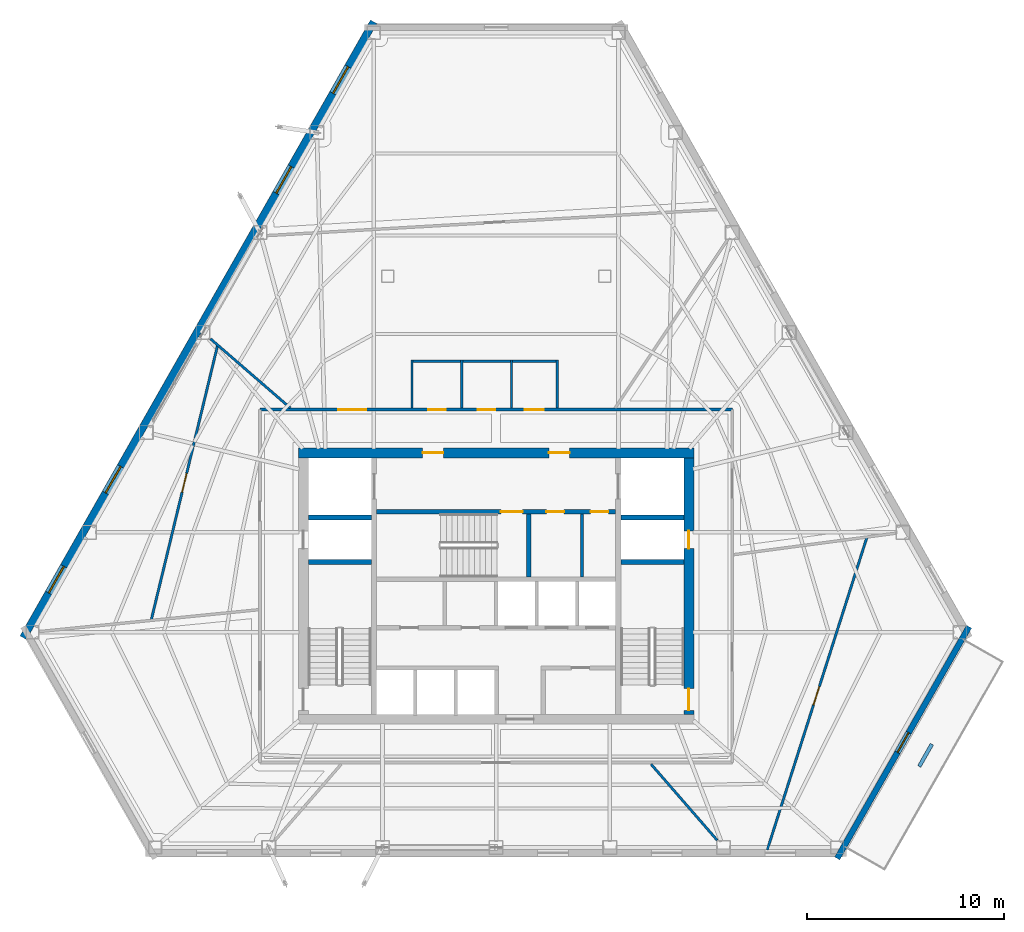
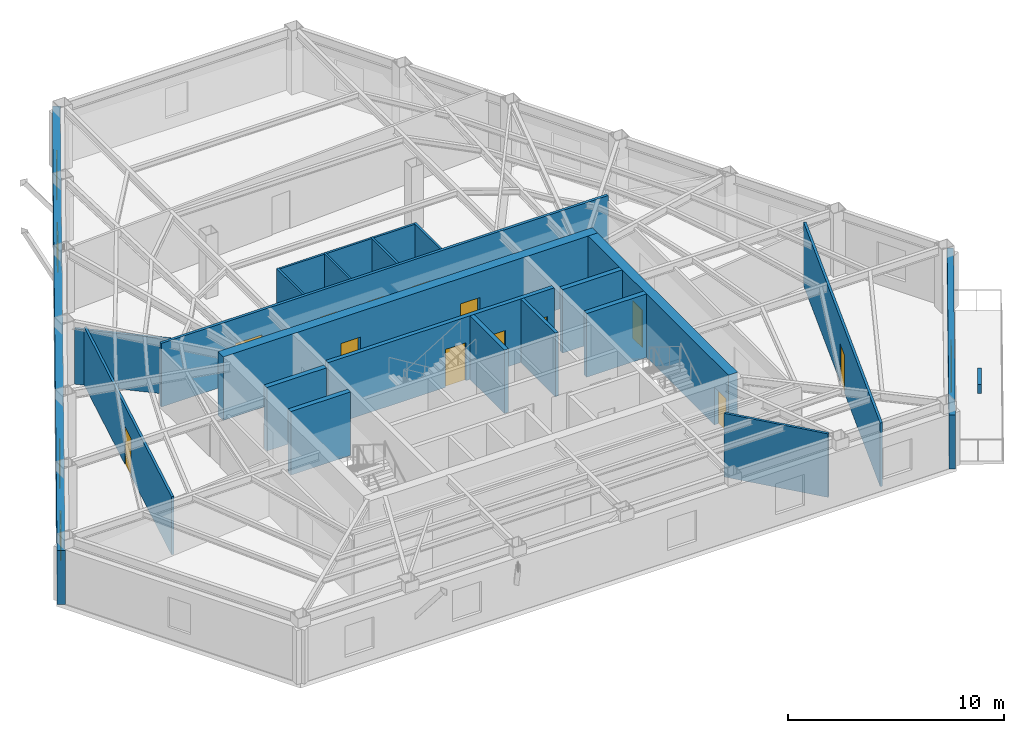
# One storey, part 8 of 12: 22 walls, 14 doors, 4 windows, 18 openings.
"""IFC4 building model written with IfcOpenShell, lengths in metres."""

from ifc_helpers import new_model, si_unit, direction, frame, frame_2d, origin, place, context, subcontext, project, spatial, rectangle, extrude, material, layer, layer_set, type_object, element, fill, save


model = new_model("IFC4")

# Units and contexts
model_context = context("Model", 3, precision=1e-05, world=origin(), true_north=direction((0.0, 1.0)))
body_context = subcontext(model_context, "Body", "Model", "MODEL_VIEW")
ifc_project = project(units=[si_unit("LENGTHUNIT", "METRE"), si_unit("AREAUNIT", "SQUARE_METRE"), si_unit("VOLUMEUNIT", "CUBIC_METRE"), si_unit("PLANEANGLEUNIT", "RADIAN"), si_unit("MASSUNIT", "GRAM", prefix="KILO")], contexts=[model_context])

# Site, building, storey
site_placement = place(None, origin())
site = spatial("IfcSite", under=ifc_project, at=site_placement, CompositionType="ELEMENT")
building_placement = place(site_placement, origin())
building = spatial("IfcBuilding", under=site, at=building_placement, Name="Kavelnor Concourse Tower", CompositionType="ELEMENT")
storey_placement = place(building_placement, frame((0.0, 0.0, 93.199951171875)))
storey = spatial("IfcBuildingStorey", under=building, at=storey_placement, Name="L23", CompositionType="ELEMENT", Elevation=93.199951171875)

# Wall, openings, doors
ifc_material_1 = material(Name="Concrete C60/75", Category="concrete")
ifc_layer_1 = layer(ifc_material_1, 0.5, Name="Concrete C60/75")
ifc_layer_set_1 = layer_set([ifc_layer_1], Name="Concrete C60/75")
wall_type_1 = type_object("IfcWallType", Name="WL-CORE-Z2-500", PredefinedType="SOLIDWALL", material=ifc_layer_set_1)
wall_1_placement = place(storey_placement, frame((27.97998046875, 22.85009765625, 0.0), z_axis=(0.0, 0.0, 1.0), x_axis=(1.0, 0.0, 0.0)))
wall_1 = element("IfcWall", 1, at=wall_1_placement, inside=storey, type_object=wall_type_1, Name="L23 Central Core North Shear Wall", PredefinedType="SOLIDWALL", context=body_context, shape_type="SweptSolid", body=[
    extrude(rectangle(XDim=20.0400390625, YDim=0.5, at=frame_2d((10.02001953125, 0.0))), origin(), (0.0, 0.0, 1.0), 3.60009765625),
])
opening_1_placement = place(wall_1_placement, frame((6.294921875, 0.0, 0.0)))
opening_1 = element("IfcOpeningElement", 2, at=opening_1_placement, cuts=wall_1, Name="Opening FD-105", PredefinedType="OPENING", context=body_context, shape_type="SweptSolid", body=[
    extrude(rectangle(XDim=1.050048828125, YDim=2.14990234375, at=frame_2d((0.52490234375, 1.074951171875))), frame((0.0, 0.260009765625, 0.0), z_axis=(0.0, -1.0, 0.0), x_axis=(1.0, 0.0, 0.0)), (0.0, 0.0, 1.0), 0.52001953125),
])
opening_2_placement = place(wall_1_placement, frame((12.695068359375, 0.0, 0.0)))
opening_2 = element("IfcOpeningElement", 3, at=opening_2_placement, cuts=wall_1, Name="Opening FD-105", PredefinedType="OPENING", context=body_context, shape_type="SweptSolid", body=[
    extrude(rectangle(XDim=1.050048828125, YDim=2.14990234375, at=frame_2d((0.52490234375, 1.074951171875))), frame((0.0, 0.260009765625, 0.0), z_axis=(0.0, -1.0, 0.0), x_axis=(1.0, 0.0, 0.0)), (0.0, 0.0, 1.0), 0.52001953125),
])
ifc_material_2 = material(Name="Steel Grade 350", Category="steel")
door_type_1 = type_object("IfcDoorType", Name="DR-LOBBY-FIRE-1050", OperationType="NOTDEFINED", PredefinedType="DOOR", material=ifc_material_2)
door_1_placement = place(opening_1_placement, origin())
door_1 = element("IfcDoor", 4, at=door_1_placement, inside=storey, type_object=door_type_1, Name="L23 Emergency Lift Lobby West Door", OperationType="SINGLE_SWING_LEFT", OverallHeight=2.14990234375, OverallWidth=1.050048828125, PredefinedType="DOOR", context=body_context, shape_type="SweptSolid", body=[
    extrude(rectangle(XDim=1.050048828125, YDim=2.14990234375, at=frame_2d((0.52490234375, 1.074951171875))), frame((0.0, 0.02490234375, 0.0), z_axis=(0.0, -1.0, 0.0), x_axis=(1.0, 0.0, 0.0)), (0.0, 0.0, 1.0), 0.050048828125),
])
fill(opening_1, door_1)
door_2_placement = place(opening_2_placement, origin())
door_2 = element("IfcDoor", 5, at=door_2_placement, inside=storey, type_object=door_type_1, Name="L23 Emergency Lift Lobby East Door", OperationType="SINGLE_SWING_RIGHT", OverallHeight=2.14990234375, OverallWidth=1.050048828125, PredefinedType="DOOR", context=body_context, shape_type="SweptSolid", body=[
    extrude(rectangle(XDim=1.050048828125, YDim=2.14990234375, at=frame_2d((0.52490234375, 1.074951171875))), frame((0.0, 0.02490234375, 0.0), z_axis=(0.0, -1.0, 0.0), x_axis=(1.0, 0.0, 0.0)), (0.0, 0.0, 1.0), 0.050048828125),
])
fill(opening_2, door_2)

wall_2_placement = place(storey_placement, frame((47.77001953125, 9.60009765625, 0.0), z_axis=(0.0, 0.0, 1.0), x_axis=(0.0, 1.0, 0.0)))
wall_2 = element("IfcWall", 6, at=wall_2_placement, inside=storey, type_object=wall_type_1, Name="L23 Central Core East Shear Wall", PredefinedType="SOLIDWALL", context=body_context, shape_type="SweptSolid", body=[
    extrude(rectangle(XDim=13.0, YDim=0.5, at=frame_2d((6.5, 0.0))), origin(), (0.0, 0.0, 1.0), 3.60009765625),
])
opening_3_placement = place(wall_2_placement, frame((0.199951171875, 0.0, 0.0)))
opening_3 = element("IfcOpeningElement", 7, at=opening_3_placement, cuts=wall_2, Name="Opening FD-110", PredefinedType="OPENING", context=body_context, shape_type="SweptSolid", body=[
    extrude(rectangle(XDim=1.10009765625, YDim=2.14990234375, at=frame_2d((0.550048828125, 1.074951171875))), frame((0.0, 0.260009765625, 0.0), z_axis=(0.0, -1.0, 0.0), x_axis=(1.0, 0.0, 0.0)), (0.0, 0.0, 1.0), 0.52001953125),
])
opening_4_placement = place(wall_2_placement, frame((8.39990234375, 0.0, 0.0)))
opening_4 = element("IfcOpeningElement", 8, at=opening_4_placement, cuts=wall_2, Name="Opening FD-090", PredefinedType="OPENING", context=body_context, shape_type="SweptSolid", body=[
    extrude(rectangle(XDim=0.89990234375, YDim=2.10009765625, at=frame_2d((0.449951171875, 1.050048828125))), frame((0.0, 0.260009765625, 0.0), z_axis=(0.0, -1.0, 0.0), x_axis=(1.0, 0.0, 0.0)), (0.0, 0.0, 1.0), 0.52001953125),
])
door_type_2 = type_object("IfcDoorType", Name="DR-RISER-FIRE-900", OperationType="NOTDEFINED", PredefinedType="DOOR", material=ifc_material_2)
door_3_placement = place(opening_4_placement, origin())
door_3 = element("IfcDoor", 9, at=door_3_placement, inside=storey, type_object=door_type_2, Name="L23 East Riser Access Door", OperationType="SINGLE_SWING_LEFT", OverallHeight=2.10009765625, OverallWidth=0.89990234375, PredefinedType="DOOR", context=body_context, shape_type="SweptSolid", body=[
    extrude(rectangle(XDim=0.89990234375, YDim=2.10009765625, at=frame_2d((0.449951171875, 1.050048828125))), frame((0.0, 0.02490234375, 0.0), z_axis=(0.0, -1.0, 0.0), x_axis=(1.0, 0.0, 0.0)), (0.0, 0.0, 1.0), 0.050048828125),
])
fill(opening_4, door_3)
door_type_3 = type_object("IfcDoorType", Name="DR-STAIR-FIRE-1100", OperationType="NOTDEFINED", PredefinedType="DOOR", material=ifc_material_2)
door_4_placement = place(opening_3_placement, origin())
door_4 = element("IfcDoor", 10, at=door_4_placement, inside=storey, type_object=door_type_3, Name="L23 Stair ST2 Fire Door", OperationType="SINGLE_SWING_RIGHT", OverallHeight=2.14990234375, OverallWidth=1.10009765625, PredefinedType="DOOR", context=body_context, shape_type="SweptSolid", body=[
    extrude(rectangle(XDim=1.10009765625, YDim=2.14990234375, at=frame_2d((0.550048828125, 1.074951171875))), frame((0.0, 0.02490234375, 0.0), z_axis=(0.0, -1.0, 0.0), x_axis=(1.0, 0.0, 0.0)), (0.0, 0.0, 1.0), 0.050048828125),
])
fill(opening_3, door_4)

# Wall, opening, door
ifc_material_3 = material(Name="Buff ironspot clay face brick masonry", Category="masonry")
ifc_layer_2 = layer(ifc_material_3, 0.300048828125, Name="Buff ironspot clay face brick masonry")
ifc_layer_set_2 = layer_set([ifc_layer_2], Name="Buff ironspot clay face brick masonry")
wall_type_2 = type_object("IfcWallType", Name="WL-EXT-BUFF-BRICK-FOLD-300", PredefinedType="STANDARD", material=ifc_layer_set_2)
wall_3_placement = place(storey_placement, frame((61.968505859375, 14.040771484375, 0.0), z_axis=(0.0, 0.0, 1.0), x_axis=(-0.494645467688, -0.869094851726, 0.0)))
wall_3 = element("IfcWall", 11, at=wall_3_placement, inside=storey, type_object=wall_type_2, Name="L23 Exterior Brick Facade Wall E4", PredefinedType="STANDARD", context=body_context, shape_type="SweptSolid", body=[
    extrude(rectangle(XDim=13.509521484375, YDim=0.300048828125, at=frame_2d((6.7548828125, 0.0))), origin(), (0.0, 0.0, 1.0), 3.05908203125),
])
opening_5_placement = place(wall_3_placement, frame((6.1796875, 0.0, 0.0)))
opening_5 = element("IfcOpeningElement", 12, at=opening_5_placement, cuts=wall_3, Name="Opening TD-115", PredefinedType="OPENING", context=body_context, shape_type="SweptSolid", body=[
    extrude(rectangle(XDim=1.14990234375, YDim=2.199951171875, at=frame_2d((0.574951171875, 1.10009765625))), frame((0.0, 0.16015625, 0.0), z_axis=(0.0, -1.0, 0.0), x_axis=(1.0, 0.0, 0.0)), (0.0, 0.0, 1.0), 0.320068359375),
])
ifc_material_4 = material(Name="Anodised aluminium 6063-T6", Category="aluminium")
door_type_4 = type_object("IfcDoorType", Name="DR-TERRACE-EXT-1150", OperationType="NOTDEFINED", PredefinedType="DOOR", material=ifc_material_4)
door_5_placement = place(opening_5_placement, origin())
door_5 = element("IfcDoor", 13, at=door_5_placement, inside=storey, type_object=door_type_4, Name="L23 Spiral Sky Terrace Access Door", OperationType="SINGLE_SWING_RIGHT", OverallHeight=2.199951171875, OverallWidth=1.14990234375, PredefinedType="DOOR", context=body_context, shape_type="SweptSolid", body=[
    extrude(rectangle(XDim=1.14990234375, YDim=2.199951171875, at=frame_2d((0.574951171875, 1.10009765625))), frame((0.0, 0.02490234375, 0.0), z_axis=(0.0, -1.0, 0.0), x_axis=(1.0, 0.0, 0.0)), (0.0, 0.0, 1.0), 0.050048828125),
])
fill(opening_5, door_5)

# Wall, openings, windows
ifc_material_5 = material(Name="Red-ochre clay face brick masonry", Category="masonry")
ifc_layer_3 = layer(ifc_material_5, 0.3798828125, Name="Red-ochre clay face brick masonry")
ifc_layer_set_3 = layer_set([ifc_layer_3], Name="Red-ochre clay face brick masonry")
wall_type_3 = type_object("IfcWallType", Name="WL-EXT-RED-BRICK-PIER-380", PredefinedType="STANDARD", material=ifc_layer_set_3)
wall_4_placement = place(storey_placement, frame((14.031494140625, 13.4853515625, 0.0), z_axis=(0.0, 0.0, 1.0), x_axis=(0.494642620698, 0.869096472084, 0.0)))
wall_4 = element("IfcWall", 14, at=wall_4_placement, inside=storey, type_object=wall_type_3, Name="L23 Exterior Brick Facade Wall E1", PredefinedType="STANDARD", context=body_context, shape_type="SweptSolid", body=[
    extrude(rectangle(XDim=35.91552734375, YDim=0.3798828125, at=frame_2d((17.957763671875, 0.0))), origin(), (0.0, 0.0, 1.0), 3.05908203125),
])
opening_6_placement = place(wall_4_placement, frame((31.747802734375, 0.0, 0.64990234375)))
opening_6 = element("IfcOpeningElement", 15, at=opening_6_placement, cuts=wall_4, Name="Opening W-02", PredefinedType="OPENING", context=body_context, shape_type="SweptSolid", body=[
    extrude(rectangle(XDim=1.550048828125, YDim=1.75, at=frame_2d((0.77490234375, 0.875))), frame((0.0, 0.199951171875, 0.0), z_axis=(0.0, -1.0, 0.0), x_axis=(1.0, 0.0, 0.0)), (0.0, 0.0, 1.0), 0.39990234375),
])
opening_7_placement = place(wall_4_placement, frame((25.920654296875, 0.0, 0.64990234375)))
opening_7 = element("IfcOpeningElement", 16, at=opening_7_placement, cuts=wall_4, Name="Opening W-02", PredefinedType="OPENING", context=body_context, shape_type="SweptSolid", body=[
    extrude(rectangle(XDim=1.550048828125, YDim=1.75, at=frame_2d((0.77490234375, 0.875))), frame((0.0, 0.199951171875, 0.0), z_axis=(0.0, -1.0, 0.0), x_axis=(1.0, 0.0, 0.0)), (0.0, 0.0, 1.0), 0.39990234375),
])
opening_8_placement = place(wall_4_placement, frame((8.43896484375, 0.0, 0.64990234375)))
opening_8 = element("IfcOpeningElement", 17, at=opening_8_placement, cuts=wall_4, Name="Opening W-02", PredefinedType="OPENING", context=body_context, shape_type="SweptSolid", body=[
    extrude(rectangle(XDim=1.550048828125, YDim=1.75, at=frame_2d((0.77490234375, 0.875))), frame((0.0, 0.199951171875, 0.0), z_axis=(0.0, -1.0, 0.0), x_axis=(1.0, 0.0, 0.0)), (0.0, 0.0, 1.0), 0.39990234375),
])
opening_9_placement = place(wall_4_placement, frame((2.61181640625, 0.0, 0.64990234375)))
opening_9 = element("IfcOpeningElement", 18, at=opening_9_placement, cuts=wall_4, Name="Opening W-02", PredefinedType="OPENING", context=body_context, shape_type="SweptSolid", body=[
    extrude(rectangle(XDim=1.550048828125, YDim=1.75, at=frame_2d((0.77490234375, 0.875))), frame((0.0, 0.199951171875, 0.0), z_axis=(0.0, -1.0, 0.0), x_axis=(1.0, 0.0, 0.0)), (0.0, 0.0, 1.0), 0.39990234375),
])
ifc_material_6 = material(Name="Double low-E argon insulated glazing", Category="glass")
window_type = type_object("IfcWindowType", Name="WIN-PIER-Z2-1650", PartitioningType="SINGLE_PANEL", PredefinedType="WINDOW", material=ifc_material_6)
window_1_placement = place(opening_6_placement, origin())
window_1 = element("IfcWindow", 19, at=window_1_placement, inside=storey, type_object=window_type, Name="L23 Deep-Set Brick Pier Window F0-B0", OverallHeight=1.75, OverallWidth=1.550048828125, PartitioningType="SINGLE_PANEL", PredefinedType="WINDOW", context=body_context, shape_type="SweptSolid", body=[
    extrude(rectangle(XDim=1.550048828125, YDim=1.75, at=frame_2d((0.77490234375, 0.875))), frame((0.0, 0.030029296875, 0.0), z_axis=(0.0, -1.0, 0.0), x_axis=(1.0, 0.0, 0.0)), (0.0, 0.0, 1.0), 0.06005859375),
])
fill(opening_6, window_1)
window_2_placement = place(opening_7_placement, origin())
window_2 = element("IfcWindow", 20, at=window_2_placement, inside=storey, type_object=window_type, Name="L23 Deep-Set Brick Pier Window F0-B1", OverallHeight=1.75, OverallWidth=1.550048828125, PartitioningType="SINGLE_PANEL", PredefinedType="WINDOW", context=body_context, shape_type="SweptSolid", body=[
    extrude(rectangle(XDim=1.550048828125, YDim=1.75, at=frame_2d((0.77490234375, 0.875))), frame((0.0, 0.030029296875, 0.0), z_axis=(0.0, -1.0, 0.0), x_axis=(1.0, 0.0, 0.0)), (0.0, 0.0, 1.0), 0.06005859375),
])
fill(opening_7, window_2)
window_3_placement = place(opening_8_placement, origin())
window_3 = element("IfcWindow", 21, at=window_3_placement, inside=storey, type_object=window_type, Name="L23 Deep-Set Brick Pier Window F0-B4", OverallHeight=1.75, OverallWidth=1.550048828125, PartitioningType="SINGLE_PANEL", PredefinedType="WINDOW", context=body_context, shape_type="SweptSolid", body=[
    extrude(rectangle(XDim=1.550048828125, YDim=1.75, at=frame_2d((0.77490234375, 0.875))), frame((0.0, 0.030029296875, 0.0), z_axis=(0.0, -1.0, 0.0), x_axis=(1.0, 0.0, 0.0)), (0.0, 0.0, 1.0), 0.06005859375),
])
fill(opening_8, window_3)
window_4_placement = place(opening_9_placement, origin())
window_4 = element("IfcWindow", 22, at=window_4_placement, inside=storey, type_object=window_type, Name="L23 Deep-Set Brick Pier Window F0-B5", OverallHeight=1.75, OverallWidth=1.550048828125, PartitioningType="SINGLE_PANEL", PredefinedType="WINDOW", context=body_context, shape_type="SweptSolid", body=[
    extrude(rectangle(XDim=1.550048828125, YDim=1.75, at=frame_2d((0.77490234375, 0.875))), frame((0.0, 0.030029296875, 0.0), z_axis=(0.0, -1.0, 0.0), x_axis=(1.0, 0.0, 0.0)), (0.0, 0.0, 1.0), 0.06005859375),
])
fill(opening_9, window_4)

# Wall, openings, doors
ifc_material_7 = material(Name="Gypsum plasterboard on light-gauge steel studs", Category="steel")
ifc_layer_4 = layer(ifc_material_7, 0.14501953125, Name="Gypsum plasterboard on light-gauge steel studs")
ifc_layer_set_4 = layer_set([ifc_layer_4], Name="Gypsum plasterboard on light-gauge steel studs")
wall_type_4 = type_object("IfcWallType", Name="WL-INT-CORR-145", PredefinedType="PARTITIONING", material=ifc_layer_set_4)
wall_5_placement = place(storey_placement, frame((49.969970703125, 25.050048828125, 0.0), z_axis=(0.0, 0.0, 1.0), x_axis=(-1.0, 0.0, 0.0)))
wall_5 = element("IfcWall", 23, at=wall_5_placement, inside=storey, type_object=wall_type_4, Name="L23 Corridor Wall WL-L23-CR-02", PredefinedType="PARTITIONING", context=body_context, shape_type="SweptSolid", body=[
    extrude(rectangle(XDim=23.93994140625, YDim=0.14501953125, at=frame_2d((11.969970703125, 0.0))), origin(), (0.0, 0.0, 1.0), 3.60009765625),
])
opening_10_placement = place(wall_5_placement, frame((14.530029296875, 0.0, 0.0)))
opening_10 = element("IfcOpeningElement", 24, at=opening_10_placement, cuts=wall_5, Name="Opening WD-088", PredefinedType="OPENING", context=body_context, shape_type="SweptSolid", body=[
    extrude(rectangle(XDim=0.8798828125, YDim=2.10009765625, at=frame_2d((0.43994140625, 1.050048828125))), frame((0.0, 0.08251953125, 0.0), z_axis=(0.0, -1.0, 0.0), x_axis=(1.0, 0.0, 0.0)), (0.0, 0.0, 1.0), 0.1650390625),
])
opening_11_placement = place(wall_5_placement, frame((12.010009765625, 0.0, 0.0)))
opening_11 = element("IfcOpeningElement", 25, at=opening_11_placement, cuts=wall_5, Name="Opening WD-088", PredefinedType="OPENING", context=body_context, shape_type="SweptSolid", body=[
    extrude(rectangle(XDim=0.8798828125, YDim=2.10009765625, at=frame_2d((0.43994140625, 1.050048828125))), frame((0.0, 0.08251953125, 0.0), z_axis=(0.0, -1.0, 0.0), x_axis=(1.0, 0.0, 0.0)), (0.0, 0.0, 1.0), 0.1650390625),
])
opening_12_placement = place(wall_5_placement, frame((9.550048828125, 0.0, 0.0)))
opening_12 = element("IfcOpeningElement", 26, at=opening_12_placement, cuts=wall_5, Name="Opening WD-096", PredefinedType="OPENING", context=body_context, shape_type="SweptSolid", body=[
    extrude(rectangle(XDim=0.9599609375, YDim=2.10009765625, at=frame_2d((0.47998046875, 1.050048828125))), frame((0.0, 0.08251953125, 0.0), z_axis=(0.0, -1.0, 0.0), x_axis=(1.0, 0.0, 0.0)), (0.0, 0.0, 1.0), 0.1650390625),
])
opening_13_placement = place(wall_5_placement, frame((18.560546875, 0.0, 0.0)))
opening_13 = element("IfcOpeningElement", 27, at=opening_13_placement, cuts=wall_5, Name="Opening SD-140", PredefinedType="OPENING", context=body_context, shape_type="SweptSolid", body=[
    extrude(rectangle(XDim=1.39990234375, YDim=2.199951171875, at=frame_2d((0.699951171875, 1.10009765625))), frame((0.0, 0.08251953125, 0.0), z_axis=(0.0, -1.0, 0.0), x_axis=(1.0, 0.0, 0.0)), (0.0, 0.0, 1.0), 0.1650390625),
])
ifc_material_8 = material(Name="Solid-core hardwood timber", Category="wood")
door_type_5 = type_object("IfcDoorType", Name="DR-SUITE-ENTRY-1400", OperationType="NOTDEFINED", PredefinedType="DOOR", material=ifc_material_8)
door_6_placement = place(opening_13_placement, origin())
door_6 = element("IfcDoor", 28, at=door_6_placement, inside=storey, type_object=door_type_5, Name="L23 Tenant Bookstore Retail Shop 02 Door", OperationType="SINGLE_SWING_RIGHT", OverallHeight=2.199951171875, OverallWidth=1.39990234375, PredefinedType="DOOR", context=body_context, shape_type="SweptSolid", body=[
    extrude(rectangle(XDim=1.39990234375, YDim=2.199951171875, at=frame_2d((0.699951171875, 1.10009765625))), frame((0.0, 0.02490234375, 0.0), z_axis=(0.0, -1.0, 0.0), x_axis=(1.0, 0.0, 0.0)), (0.0, 0.0, 1.0), 0.050048828125),
])
fill(opening_13, door_6)
door_type_6 = type_object("IfcDoorType", Name="DR-WC-ACC-960", OperationType="NOTDEFINED", PredefinedType="DOOR", material=ifc_material_8)
door_7_placement = place(opening_12_placement, origin())
door_7 = element("IfcDoor", 29, at=door_7_placement, inside=storey, type_object=door_type_6, Name="L23 Accessible WC Door", OperationType="SINGLE_SWING_RIGHT", OverallHeight=2.10009765625, OverallWidth=0.9599609375, PredefinedType="DOOR", context=body_context, shape_type="SweptSolid", body=[
    extrude(rectangle(XDim=0.9599609375, YDim=2.10009765625, at=frame_2d((0.47998046875, 1.050048828125))), frame((0.0, 0.02490234375, 0.0), z_axis=(0.0, -1.0, 0.0), x_axis=(1.0, 0.0, 0.0)), (0.0, 0.0, 1.0), 0.050048828125),
])
fill(opening_12, door_7)
door_type_7 = type_object("IfcDoorType", Name="DR-WC-STD-880", OperationType="NOTDEFINED", PredefinedType="DOOR", material=ifc_material_8)
door_8_placement = place(opening_10_placement, origin())
door_8 = element("IfcDoor", 30, at=door_8_placement, inside=storey, type_object=door_type_7, Name="L23 Male WC Door", OperationType="SINGLE_SWING_RIGHT", OverallHeight=2.10009765625, OverallWidth=0.8798828125, PredefinedType="DOOR", context=body_context, shape_type="SweptSolid", body=[
    extrude(rectangle(XDim=0.8798828125, YDim=2.10009765625, at=frame_2d((0.43994140625, 1.050048828125))), frame((0.0, 0.02490234375, 0.0), z_axis=(0.0, -1.0, 0.0), x_axis=(1.0, 0.0, 0.0)), (0.0, 0.0, 1.0), 0.050048828125),
])
fill(opening_10, door_8)
door_9_placement = place(opening_11_placement, origin())
door_9 = element("IfcDoor", 31, at=door_9_placement, inside=storey, type_object=door_type_7, Name="L23 Female WC Door", OperationType="SINGLE_SWING_LEFT", OverallHeight=2.10009765625, OverallWidth=0.8798828125, PredefinedType="DOOR", context=body_context, shape_type="SweptSolid", body=[
    extrude(rectangle(XDim=0.8798828125, YDim=2.10009765625, at=frame_2d((0.43994140625, 1.050048828125))), frame((0.0, 0.02490234375, 0.0), z_axis=(0.0, -1.0, 0.0), x_axis=(1.0, 0.0, 0.0)), (0.0, 0.0, 1.0), 0.050048828125),
])
fill(opening_11, door_9)

# Walls
ifc_layer_5 = layer(ifc_material_7, 0.1650390625, Name="Gypsum plasterboard on light-gauge steel studs")
ifc_layer_set_5 = layer_set([ifc_layer_5], Name="Gypsum plasterboard on light-gauge steel studs")
wall_type_5 = type_object("IfcWallType", Name="WL-INT-FIRE-165", PredefinedType="PARTITIONING", material=ifc_layer_set_5)
wall_6_placement = place(storey_placement, frame((42.35009765625, 16.56005859375, 0.0), z_axis=(0.0, 0.0, 1.0), x_axis=(0.0, 1.0, 0.0)))
element("IfcWall", 32, at=wall_6_placement, inside=storey, type_object=wall_type_5, Name="L23 Core Support Asymmetric Divider", PredefinedType="PARTITIONING", context=body_context, shape_type="SweptSolid", body=[
    extrude(rectangle(XDim=3.199951171875, YDim=0.1650390625, at=frame_2d((1.60009765625, 0.0))), origin(), (0.0, 0.0, 1.0), 3.60009765625),
])
ifc_layer_6 = layer(ifc_material_7, 0.125, Name="Gypsum plasterboard on light-gauge steel studs")
ifc_layer_set_6 = layer_set([ifc_layer_6], Name="Gypsum plasterboard on light-gauge steel studs")
wall_type_6 = type_object("IfcWallType", Name="WL-INT-SUITE-125", PredefinedType="PARTITIONING", material=ifc_layer_set_6)
wall_7_placement = place(storey_placement, frame((27.5673828125, 25.130615234375, 0.0), z_axis=(0.0, 0.0, 1.0), x_axis=(-0.756118826097, 0.654434351804, 0.0)))
element("IfcWall", 33, at=wall_7_placement, inside=storey, type_object=wall_type_6, Name="L23 Radial Suite Partition 03", PredefinedType="PARTITIONING", context=body_context, shape_type="SweptSolid", body=[
    extrude(rectangle(XDim=5.35888671875, YDim=0.125, at=frame_2d((2.679443359375, 0.0))), origin(), (0.0, 0.0, 1.0), 3.14111328125),
])
wall_8_placement = place(storey_placement, frame((45.85498046875, 7.069580078125, 0.0), z_axis=(0.0, 0.0, 1.0), x_axis=(0.656311309617, -0.75449020197, 0.0)))
element("IfcWall", 34, at=wall_8_placement, inside=storey, type_object=wall_type_6, Name="L23 Radial Suite Partition 06", PredefinedType="PARTITIONING", context=body_context, shape_type="SweptSolid", body=[
    extrude(rectangle(XDim=5.105224609375, YDim=0.125, at=frame_2d((2.552734375, 0.0))), origin(), (0.0, 0.0, 1.0), 3.60009765625),
])

# Wall, opening, door
wall_9_placement = place(storey_placement, frame((23.88134765625, 28.30126953125, 0.0), z_axis=(0.0, 0.0, 1.0), x_axis=(-0.234828781447, -0.972036750027, 0.0)))
wall_9 = element("IfcWall", 35, at=wall_9_placement, inside=storey, type_object=wall_type_6, Name="L23 Suite Subdivision Partition 03", PredefinedType="PARTITIONING", context=body_context, shape_type="SweptSolid", body=[
    extrude(rectangle(XDim=14.325439453125, YDim=0.125, at=frame_2d((7.16259765625, 0.0))), origin(), (0.0, 0.0, 1.0), 3.2880859375),
])
opening_14_placement = place(wall_9_placement, frame((6.679443359375, 0.0, 0.0)))
opening_14 = element("IfcOpeningElement", 36, at=opening_14_placement, cuts=wall_9, Name="Opening OD-098", PredefinedType="OPENING", context=body_context, shape_type="SweptSolid", body=[
    extrude(rectangle(XDim=0.97998046875, YDim=2.14990234375, at=frame_2d((0.489990234375, 1.074951171875))), frame((0.0, 0.072509765625, 0.0), z_axis=(0.0, -1.0, 0.0), x_axis=(1.0, 0.0, 0.0)), (0.0, 0.0, 1.0), 0.14501953125),
])
door_type_8 = type_object("IfcDoorType", Name="DR-OFFICE-980", OperationType="NOTDEFINED", PredefinedType="DOOR", material=ifc_material_8)
door_10_placement = place(opening_14_placement, origin())
door_10 = element("IfcDoor", 37, at=door_10_placement, inside=storey, type_object=door_type_8, Name="L23 Building Staff Breakroom 05 Door", OperationType="SINGLE_SWING_LEFT", OverallHeight=2.14990234375, OverallWidth=0.97998046875, PredefinedType="DOOR", context=body_context, shape_type="SweptSolid", body=[
    extrude(rectangle(XDim=0.97998046875, YDim=2.14990234375, at=frame_2d((0.489990234375, 1.074951171875))), frame((0.0, 0.02490234375, 0.0), z_axis=(0.0, -1.0, 0.0), x_axis=(1.0, 0.0, 0.0)), (0.0, 0.0, 1.0), 0.050048828125),
])
fill(opening_14, door_10)

wall_10_placement = place(storey_placement, frame((51.74267578125, 2.729736328125, 0.0), z_axis=(0.0, 0.0, 1.0), x_axis=(0.303729685162, 0.95275824759, 0.0)))
wall_10 = element("IfcWall", 38, at=wall_10_placement, inside=storey, type_object=wall_type_6, Name="L23 Suite Subdivision Partition 06", PredefinedType="PARTITIONING", context=body_context, shape_type="SweptSolid", body=[
    extrude(rectangle(XDim=16.626708984375, YDim=0.125, at=frame_2d((8.3134765625, 0.0))), origin(), (0.0, 0.0, 1.0), 3.60009765625),
])
opening_15_placement = place(wall_10_placement, frame((7.708740234375, 0.0, 0.0)))
opening_15 = element("IfcOpeningElement", 39, at=opening_15_placement, cuts=wall_10, Name="Opening OD-098", PredefinedType="OPENING", context=body_context, shape_type="SweptSolid", body=[
    extrude(rectangle(XDim=0.97998046875, YDim=2.14990234375, at=frame_2d((0.489990234375, 1.074951171875))), frame((0.0, 0.072509765625, 0.0), z_axis=(0.0, -1.0, 0.0), x_axis=(1.0, 0.0, 0.0)), (0.0, 0.0, 1.0), 0.14501953125),
])
door_11_placement = place(opening_15_placement, origin())
door_11 = element("IfcDoor", 40, at=door_11_placement, inside=storey, type_object=door_type_8, Name="L23 Building Staff Breakroom 09 Door", OperationType="SINGLE_SWING_LEFT", OverallHeight=2.14990234375, OverallWidth=0.97998046875, PredefinedType="DOOR", context=body_context, shape_type="SweptSolid", body=[
    extrude(rectangle(XDim=0.97998046875, YDim=2.14990234375, at=frame_2d((0.489990234375, 1.074951171875))), frame((0.0, 0.02490234375, 0.0), z_axis=(0.0, -1.0, 0.0), x_axis=(1.0, 0.0, 0.0)), (0.0, 0.0, 1.0), 0.050048828125),
])
fill(opening_15, door_11)

# Walls
ifc_layer_7 = layer(ifc_material_7, 0.110107421875, Name="Gypsum plasterboard on light-gauge steel studs")
ifc_layer_set_7 = layer_set([ifc_layer_7], Name="Gypsum plasterboard on light-gauge steel studs")
wall_type_7 = type_object("IfcWallType", Name="WL-INT-WC-110", PredefinedType="PLUMBINGWALL", material=ifc_layer_set_7)
for number, where, z_axis, x_axis, name in (
    (41, (33.739990234375, 25.1201171875, 0.0), (0.0, 0.0, 1.0), (0.0, 1.0, 0.0), "L23 Sanitary Partition WL-L23-WC-W"),
    (42, (36.260009765625, 25.1201171875, 0.0), (0.0, 0.0, 1.0), (0.0, 1.0, 0.0), "L23 Sanitary Partition WL-L23-WC-D1"),
    (43, (38.780029296875, 25.1201171875, 0.0), (0.0, 0.0, 1.0), (0.0, 1.0, 0.0), "L23 Sanitary Partition WL-L23-WC-D2"),
    (44, (41.10009765625, 25.1201171875, 0.0), (0.0, 0.0, 1.0), (0.0, 1.0, 0.0), "L23 Sanitary Partition WL-L23-WC-E"),
):
    element("IfcWall", number, at=place(storey_placement, frame(where, z_axis=z_axis, x_axis=x_axis)), inside=storey, type_object=wall_type_7, Name=name, PredefinedType="PLUMBINGWALL", context=body_context, shape_type="SweptSolid", body=[
        extrude(rectangle(XDim=2.43994140625, YDim=0.110107421875, at=frame_2d((1.219970703125, 0.0))), origin(), (0.0, 0.0, 1.0), 3.60009765625),
    ])
wall_11_placement = place(storey_placement, frame((33.68994140625, 27.5, 0.0), z_axis=(0.0, 0.0, 1.0), x_axis=(1.0, 0.0, 0.0)))
element("IfcWall", 45, at=wall_11_placement, inside=storey, type_object=wall_type_7, Name="L23 Sanitary Partition WL-L23-WC-N", PredefinedType="PLUMBINGWALL", context=body_context, shape_type="SweptSolid", body=[
    extrude(rectangle(XDim=7.4599609375, YDim=0.110107421875, at=frame_2d((3.72998046875, 0.0))), origin(), (0.0, 0.0, 1.0), 3.60009765625),
])
ifc_material_9 = material(Name="Architectural precast planter concrete C40/50", Category="concrete")
ifc_layer_8 = layer(ifc_material_9, 0.18994140625, Name="Architectural precast planter concrete C40/50")
ifc_layer_set_8 = layer_set([ifc_layer_8], Name="Architectural precast planter concrete C40/50")
wall_type_8 = type_object("IfcWallType", Name="WL-PLANTER-KERB-190", PredefinedType="USERDEFINED", material=ifc_layer_set_8)
wall_12_placement = place(storey_placement, frame((59.444091796875, 6.95751953125, 0.0), z_axis=(0.0, 0.0, 1.0), x_axis=(0.494864224427, 0.868970309839, 0.0)))
element("IfcWall", 46, at=wall_12_placement, inside=storey, type_object=wall_type_8, Name="L23 Spiral Terrace Landscaped Planter Kerb", ObjectType="PLANTER", PredefinedType="USERDEFINED", context=body_context, shape_type="SweptSolid", body=[
    extrude(rectangle(XDim=1.300048828125, YDim=0.18994140625, at=frame_2d((0.64990234375, 0.0))), origin(), (0.0, 0.0, 1.0), 0.52001953125),
])

# Wall, openings, doors
ifc_material_10 = material(Name="Concrete C50/60", Category="concrete")
ifc_layer_9 = layer(ifc_material_10, 0.219970703125, Name="Concrete C50/60")
ifc_layer_set_9 = layer_set([ifc_layer_9], Name="Concrete C50/60")
wall_type_9 = type_object("IfcWallType", Name="WL-SHAFT-220", PredefinedType="SOLIDWALL", material=ifc_layer_set_9)
wall_13_placement = place(storey_placement, frame((31.93994140625, 19.8701171875, 0.0), z_axis=(0.0, 0.0, 1.0), x_axis=(1.0, 0.0, 0.0)))
wall_13 = element("IfcWall", 47, at=wall_13_placement, inside=storey, type_object=wall_type_9, Name="L23 Emergency Lift Lobby South Wall", PredefinedType="SOLIDWALL", context=body_context, shape_type="SweptSolid", body=[
    extrude(rectangle(XDim=12.1201171875, YDim=0.219970703125, at=frame_2d((6.06005859375, 0.0))), origin(), (0.0, 0.0, 1.0), 3.60009765625),
])
opening_16_placement = place(wall_13_placement, frame((6.300048828125, 0.0, 0.0)))
opening_16 = element("IfcOpeningElement", 48, at=opening_16_placement, cuts=wall_13, Name="Opening FD-110", PredefinedType="OPENING", context=body_context, shape_type="SweptSolid", body=[
    extrude(rectangle(XDim=1.10009765625, YDim=2.14990234375, at=frame_2d((0.550048828125, 1.074951171875))), frame((0.0, 0.1201171875, 0.0), z_axis=(0.0, -1.0, 0.0), x_axis=(1.0, 0.0, 0.0)), (0.0, 0.0, 1.0), 0.239990234375),
])
opening_17_placement = place(wall_13_placement, frame((8.610107421875, 0.0, 0.0)))
opening_17 = element("IfcOpeningElement", 49, at=opening_17_placement, cuts=wall_13, Name="Opening FD-090", PredefinedType="OPENING", context=body_context, shape_type="SweptSolid", body=[
    extrude(rectangle(XDim=0.89990234375, YDim=2.10009765625, at=frame_2d((0.449951171875, 1.050048828125))), frame((0.0, 0.1201171875, 0.0), z_axis=(0.0, -1.0, 0.0), x_axis=(1.0, 0.0, 0.0)), (0.0, 0.0, 1.0), 0.239990234375),
])
opening_18_placement = place(wall_13_placement, frame((10.85009765625, 0.0, 0.0)))
opening_18 = element("IfcOpeningElement", 50, at=opening_18_placement, cuts=wall_13, Name="Opening FD-090", PredefinedType="OPENING", context=body_context, shape_type="SweptSolid", body=[
    extrude(rectangle(XDim=0.89990234375, YDim=2.10009765625, at=frame_2d((0.449951171875, 1.050048828125))), frame((0.0, 0.1201171875, 0.0), z_axis=(0.0, -1.0, 0.0), x_axis=(1.0, 0.0, 0.0)), (0.0, 0.0, 1.0), 0.239990234375),
])
door_12_placement = place(opening_17_placement, origin())
door_12 = element("IfcDoor", 51, at=door_12_placement, inside=storey, type_object=door_type_2, Name="L23 Electrical Room Door", OperationType="SINGLE_SWING_LEFT", OverallHeight=2.10009765625, OverallWidth=0.89990234375, PredefinedType="DOOR", context=body_context, shape_type="SweptSolid", body=[
    extrude(rectangle(XDim=0.89990234375, YDim=2.10009765625, at=frame_2d((0.449951171875, 1.050048828125))), frame((0.0, 0.02490234375, 0.0), z_axis=(0.0, -1.0, 0.0), x_axis=(1.0, 0.0, 0.0)), (0.0, 0.0, 1.0), 0.050048828125),
])
fill(opening_17, door_12)
door_13_placement = place(opening_18_placement, origin())
door_13 = element("IfcDoor", 52, at=door_13_placement, inside=storey, type_object=door_type_2, Name="L23 Cleaner Store Door", OperationType="SINGLE_SWING_RIGHT", OverallHeight=2.10009765625, OverallWidth=0.89990234375, PredefinedType="DOOR", context=body_context, shape_type="SweptSolid", body=[
    extrude(rectangle(XDim=0.89990234375, YDim=2.10009765625, at=frame_2d((0.449951171875, 1.050048828125))), frame((0.0, 0.02490234375, 0.0), z_axis=(0.0, -1.0, 0.0), x_axis=(1.0, 0.0, 0.0)), (0.0, 0.0, 1.0), 0.050048828125),
])
fill(opening_18, door_13)
door_14_placement = place(opening_16_placement, origin())
door_14 = element("IfcDoor", 53, at=door_14_placement, inside=storey, type_object=door_type_3, Name="L23 Stair ST3 Fire Door", OperationType="SINGLE_SWING_LEFT", OverallHeight=2.14990234375, OverallWidth=1.10009765625, PredefinedType="DOOR", context=body_context, shape_type="SweptSolid", body=[
    extrude(rectangle(XDim=1.10009765625, YDim=2.14990234375, at=frame_2d((0.550048828125, 1.074951171875))), frame((0.0, 0.02490234375, 0.0), z_axis=(0.0, -1.0, 0.0), x_axis=(1.0, 0.0, 0.0)), (0.0, 0.0, 1.0), 0.050048828125),
])
fill(opening_16, door_14)

# Walls
wall_14_placement = place(storey_placement, frame((39.64990234375, 16.56005859375, 0.0), z_axis=(0.0, 0.0, 1.0), x_axis=(0.0, 1.0, 0.0)))
element("IfcWall", 54, at=wall_14_placement, inside=storey, type_object=wall_type_9, Name="L23 Stair ST3 East Core Wall", PredefinedType="SOLIDWALL", context=body_context, shape_type="SweptSolid", body=[
    extrude(rectangle(XDim=3.199951171875, YDim=0.219970703125, at=frame_2d((1.60009765625, 0.0))), origin(), (0.0, 0.0, 1.0), 3.60009765625),
])
ifc_layer_10 = layer(ifc_material_10, 0.260009765625, Name="Concrete C50/60")
ifc_layer_set_10 = layer_set([ifc_layer_10], Name="Concrete C50/60")
wall_type_10 = type_object("IfcWallType", Name="WL-SHAFT-260", PredefinedType="SHEAR", material=ifc_layer_set_10)
for number, where, z_axis, x_axis, name in (
    (55, (28.47998046875, 17.330078125, 0.0), (0.0, 0.0, 1.0), (1.0, 0.0, 0.0), "L23 Stair ST1 North Shaft Wall"),
    (56, (28.47998046875, 19.570068359375, 0.0), (0.0, 0.0, 1.0), (1.0, 0.0, 0.0), "L23 Emergency Lift FL1 South Shaft Wall"),
    (57, (44.320068359375, 17.330078125, 0.0), (0.0, 0.0, 1.0), (1.0, 0.0, 0.0), "L23 Stair ST2 North Shaft Wall"),
    (58, (44.320068359375, 19.570068359375, 0.0), (0.0, 0.0, 1.0), (1.0, 0.0, 0.0), "L23 Emergency Lift FL2 South Shaft Wall"),
):
    element("IfcWall", number, at=place(storey_placement, frame(where, z_axis=z_axis, x_axis=x_axis)), inside=storey, type_object=wall_type_10, Name=name, PredefinedType="SHEAR", context=body_context, shape_type="SweptSolid", body=[
        extrude(rectangle(XDim=3.199951171875, YDim=0.260009765625, at=frame_2d((1.60009765625, 0.0))), origin(), (0.0, 0.0, 1.0), 3.60009765625),
    ])

save(model, "model.ifc")
